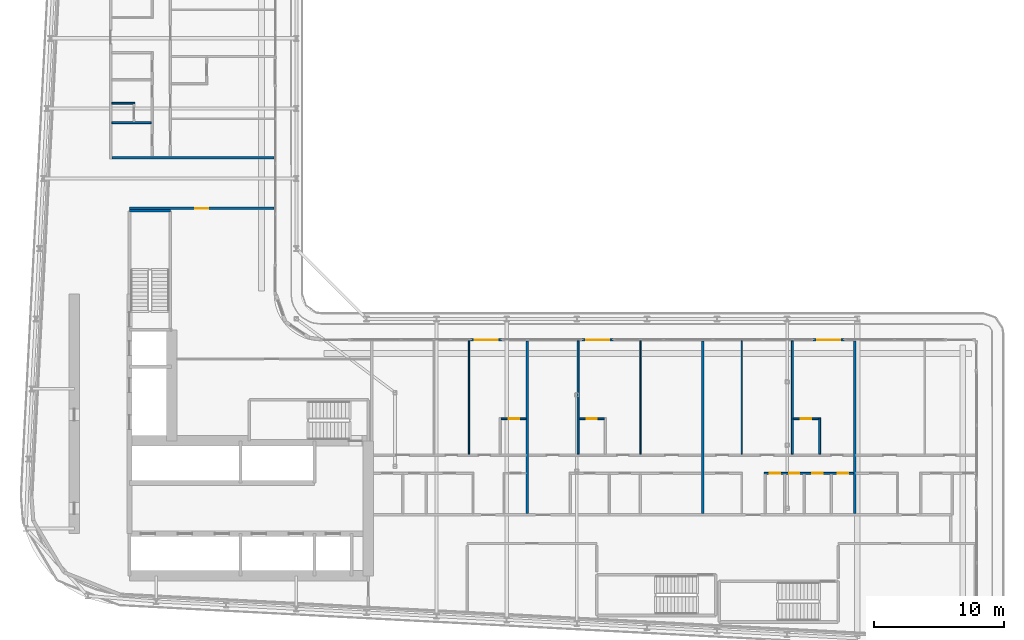
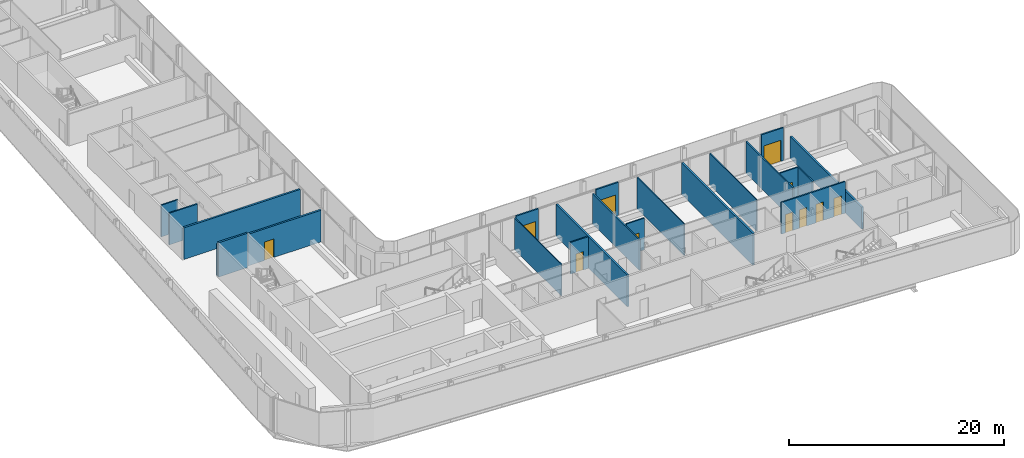
# One storey, part 17 of 28: 21 walls, 11 doors, 11 openings.
"""IFC4 building model written with IfcOpenShell, lengths in metres."""

import ifcopenshell
import ifcopenshell.guid

model = None  # the IFC model being written
_history = None  # IfcOwnerHistory: only IFC2X3 demands one
_inside = {}  # id of a spatial element -> (the spatial element, [elements in it])
_under = {}  # id of a project, library or spatial element -> (it, [spatial elements below it])
_declared = {}  # id of a project -> (the project, [libraries it declares])
_typed = {}  # id of a type object -> (the type object, [elements of that type])
_made_of = {}  # id of a material, layer set ... -> (it, [elements and type objects made of it])


def new_model(schema):
    """Start an empty IFC model of exactly this schema.

    Asked for "IFC4X3", IfcOpenShell would pick the latest addendum, in which some entities
    have other attributes; the version numbers below select the first issue.
    IFC2X3 requires an IfcOwnerHistory on every rooted entity: one is made here for all.
    """
    global model, _history
    if schema == "IFC4X3":
        model = ifcopenshell.file(schema_version=(4, 3, 0, 0))
    else:
        model = ifcopenshell.file(schema=schema)
    _inside.clear()
    _under.clear()
    _declared.clear()
    _typed.clear()
    _made_of.clear()
    _history = None
    if model.schema == "IFC2X3":
        org = make("IfcOrganization", Name="unknown")
        user = make(
            "IfcPersonAndOrganization",
            ThePerson=make("IfcPerson", FamilyName="unknown"),
            TheOrganization=org,
        )
        app = make(
            "IfcApplication",
            ApplicationDeveloper=org,
            Version="unknown",
            ApplicationFullName="unknown",
            ApplicationIdentifier="unknown",
        )
        _history = make(
            "IfcOwnerHistory",
            OwningUser=user,
            OwningApplication=app,
            ChangeAction="ADDED",
            CreationDate=0,
        )
    return model


def make(cls, **values):
    """One entity of the class cls with the attributes given. An attribute that is None is left unset."""
    return model.create_entity(
        cls, **{name: value for name, value in values.items() if value is not None}
    )


def rooted(cls, **values):
    """An entity with a GlobalId (a new one), such as an element, a storey or a relation."""
    return make(cls, GlobalId=ifcopenshell.guid.new(), OwnerHistory=_history, **values)


def si_unit(unit_type, name, prefix=None):
    """IfcSIUnit, for example si_unit("LENGTHUNIT", "METRE", prefix="MILLI")."""
    return make("IfcSIUnit", UnitType=unit_type, Prefix=prefix, Name=name)


def assignment(units):
    """IfcUnitAssignment: the units of a project."""
    return None if units is None else make("IfcUnitAssignment", Units=units)


def point(xyz):
    """IfcCartesianPoint."""
    return None if xyz is None else make("IfcCartesianPoint", Coordinates=xyz)


def direction(xyz):
    """IfcDirection."""
    return None if xyz is None else make("IfcDirection", DirectionRatios=xyz)


def frame(location, z_axis=None, x_axis=None):
    """IfcAxis2Placement3D, a coordinate frame: its origin and axes. An axis left out is left unset."""
    return make(
        "IfcAxis2Placement3D",
        Location=point(location),
        Axis=direction(z_axis),
        RefDirection=direction(x_axis),
    )


def frame_2d(location, x_axis=None):
    """IfcAxis2Placement2D, a coordinate frame in the plane: its origin and x axis."""
    return make(
        "IfcAxis2Placement2D", Location=point(location), RefDirection=direction(x_axis)
    )


def origin():
    """The frame at (0, 0, 0) with its axes left unset."""
    return frame((0.0, 0.0, 0.0))


def place(relative_to, where):
    """IfcLocalPlacement: puts the frame where relative to a parent placement (None: the world)."""
    return make(
        "IfcLocalPlacement", PlacementRelTo=relative_to, RelativePlacement=where
    )


def context(
    kind, dimensions, precision=None, world=None, true_north=None, identifier=None
):
    """IfcGeometricRepresentationContext, for example the 3D "Model" context."""
    return make(
        "IfcGeometricRepresentationContext",
        ContextIdentifier=identifier,
        ContextType=kind,
        CoordinateSpaceDimension=dimensions,
        Precision=precision,
        WorldCoordinateSystem=world,
        TrueNorth=true_north,
    )


def subcontext(parent, identifier, kind, view, scale=None):
    """IfcGeometricRepresentationSubContext, for example "Body" below "Model"."""
    return make(
        "IfcGeometricRepresentationSubContext",
        ContextIdentifier=identifier,
        ContextType=kind,
        ParentContext=parent,
        TargetScale=scale,
        TargetView=view,
    )


def project(units=None, contexts=None):
    """IfcProject with its units and contexts."""
    return rooted(
        "IfcProject",
        Name="project",
        RepresentationContexts=contexts,
        UnitsInContext=assignment(units),
    )


def spatial(cls, under=None, at=None, **own):
    """A site, building, storey or space (cls), placed at a placement, below another one or the project."""
    s = rooted(cls, ObjectPlacement=at, **own)
    if under is not None:
        _under.setdefault(under.id(), (under, []))[1].append(s)
    return s


def profile(cls, at=None, kind="AREA", **sizes):
    """A parametric profile (cls). Its sizes go by their IFC names, for example OverallWidth=200.0."""
    return make(cls, ProfileType=kind, Position=at, **sizes)


def rectangle(**sizes):
    """IfcRectangleProfileDef."""
    return profile("IfcRectangleProfileDef", **sizes)


def extrude(swept, where, along, depth):
    """IfcExtrudedAreaSolid: the profile swept, set in the frame where, extruded along a direction by depth."""
    return make(
        "IfcExtrudedAreaSolid",
        SweptArea=swept,
        Position=where,
        ExtrudedDirection=direction(along),
        Depth=depth,
    )


def shape(context_of_items, identifier, shape_type, items):
    """IfcShapeRepresentation: the items that make up one representation, for example the "Body"."""
    return make(
        "IfcShapeRepresentation",
        ContextOfItems=context_of_items,
        RepresentationIdentifier=identifier,
        RepresentationType=shape_type,
        Items=items,
    )


def source(mapping_origin, context_of_items, identifier, shape_type, items):
    """IfcRepresentationMap: a shape defined once, which mapped items show again and again."""
    return make(
        "IfcRepresentationMap",
        MappingOrigin=mapping_origin,
        MappedRepresentation=shape(context_of_items, identifier, shape_type, items),
    )


def transform(
    local_origin,
    x_axis=None,
    y_axis=None,
    z_axis=None,
    scale=None,
    scale2=None,
    scale3=None,
    uniform=True,
):
    """IfcCartesianTransformationOperator3D, or its non-uniform kind. x_axis, y_axis, z_axis: its Axis1, 2, 3."""
    if uniform:
        return make(
            "IfcCartesianTransformationOperator3D",
            Axis1=direction(x_axis),
            Axis2=direction(y_axis),
            LocalOrigin=point(local_origin),
            Scale=scale,
            Axis3=direction(z_axis),
        )
    return make(
        "IfcCartesianTransformationOperator3DnonUniform",
        Axis1=direction(x_axis),
        Axis2=direction(y_axis),
        LocalOrigin=point(local_origin),
        Scale=scale,
        Axis3=direction(z_axis),
        Scale2=scale2,
        Scale3=scale3,
    )


def mapped(mapping_source, mapping_target):
    """IfcMappedItem: shows the shape of a source again, moved by a transform."""
    return make(
        "IfcMappedItem", MappingSource=mapping_source, MappingTarget=mapping_target
    )


def material(Name=None, Category=None):
    """IfcMaterial."""
    return make("IfcMaterial", Name=Name, Category=Category)


def layer(
    of_material, thickness, ventilated=None, Name=None, Category=None, Priority=None
):
    """IfcMaterialLayer: one layer of a wall or slab, of a material (None: an air gap)."""
    return make(
        "IfcMaterialLayer",
        Material=of_material,
        LayerThickness=thickness,
        IsVentilated=ventilated,
        Name=Name,
        Category=Category,
        Priority=Priority,
    )


def layer_set(layers, Name=None):
    """IfcMaterialLayerSet."""
    return make("IfcMaterialLayerSet", MaterialLayers=layers, LayerSetName=Name)


def made_of(thing, what):
    """Note that an element or type object is made of a material, layer set ...; save() writes the relation."""
    if what is not None:
        _made_of.setdefault(what.id(), (what, []))[1].append(thing)
    return thing


def type_object(cls, material=None, **own):
    """A type object (cls), such as IfcWallType, which elements share."""
    return made_of(rooted(cls, **own), material)


def element(
    cls,
    number,
    at=None,
    inside=None,
    cuts=None,
    type_object=None,
    material=None,
    context=None,
    identifier="Body",
    shape_type=None,
    held_by="IfcProductDefinitionShape",
    body=None,
    shapes=None,
    **own,
):
    """One element of the class cls, such as IfcWall. Its Tag is "e" and its number.

    at: its placement. inside: the storey or other place that contains it. cuts: it is an
    opening in that element (IfcRelVoidsElement). A single representation is given by context,
    identifier, shape_type and body (its items); several are given by shapes. held_by: the class
    of the entity that holds the representations. save() writes the other relations.
    """
    e = rooted(cls, Tag="e%d" % number, ObjectPlacement=at, **own)
    if body is not None:
        shapes = [shape(context, identifier, shape_type, body)]
    if shapes is not None:
        e.Representation = make(held_by, Representations=shapes)
    if inside is not None:
        _inside.setdefault(inside.id(), (inside, []))[1].append(e)
    if cuts is not None:
        rooted(
            "IfcRelVoidsElement", RelatingBuildingElement=cuts, RelatedOpeningElement=e
        )
    if type_object is not None:
        _typed.setdefault(type_object.id(), (type_object, []))[1].append(e)
    return made_of(e, material)


def fill(opening, filler):
    """IfcRelFillsElement: the door or window that sits in an opening."""
    return rooted(
        "IfcRelFillsElement",
        RelatingOpeningElement=opening,
        RelatedBuildingElement=filler,
    )


def aggregate(whole, parts):
    """IfcRelAggregates: a whole, such as a stair, and the parts it consists of."""
    return rooted("IfcRelAggregates", RelatingObject=whole, RelatedObjects=parts)


def save(model, path):
    """Write the relations noted so far, then the file.

    IfcRelAggregates (storeys below a building ...), IfcRelContainedInSpatialStructure (elements
    in a storey), IfcRelDefinesByType, IfcRelAssociatesMaterial and IfcRelDeclares: one each for
    every whole, place, type object, material and project.
    """
    for whole, parts in _under.values():
        aggregate(whole, parts)
    for where, things in _inside.values():
        rooted(
            "IfcRelContainedInSpatialStructure",
            RelatedElements=things,
            RelatingStructure=where,
        )
    for kind, things in _typed.values():
        rooted("IfcRelDefinesByType", RelatedObjects=things, RelatingType=kind)
    for what, things in _made_of.values():
        rooted("IfcRelAssociatesMaterial", RelatedObjects=things, RelatingMaterial=what)
    for by, libraries in _declared.values():
        rooted("IfcRelDeclares", RelatingContext=by, RelatedDefinitions=libraries)
    model.write(path)


model = new_model("IFC4")

# Units and contexts
model_context = context("Model", 3, precision=1e-05, world=origin(), true_north=direction((0.0, 1.0)))
body_context = subcontext(model_context, "Body", "Model", "MODEL_VIEW")
ifc_project = project(units=[si_unit("LENGTHUNIT", "METRE"), si_unit("AREAUNIT", "SQUARE_METRE"), si_unit("VOLUMEUNIT", "CUBIC_METRE"), si_unit("PLANEANGLEUNIT", "RADIAN"), si_unit("MASSUNIT", "GRAM", prefix="KILO")], contexts=[model_context])

# Site, building, storey
site_placement = place(None, origin())
site = spatial("IfcSite", under=ifc_project, at=site_placement, CompositionType="ELEMENT")
building_placement = place(site_placement, origin())
building = spatial("IfcBuilding", under=site, at=building_placement, Name="Kheshtan School and Residences Tower", CompositionType="ELEMENT")
storey_placement = place(building_placement, frame((0.0, 0.0, 187.699951171875)))
storey = spatial("IfcBuildingStorey", under=building, at=storey_placement, Name="L44", CompositionType="ELEMENT", Elevation=187.699951171875)

# Wall
ifc_material_1 = material(Name="Gypsum board on steel studs with fire boards", Category="steel")
ifc_layer_1 = layer(ifc_material_1, 0.199951171875)
ifc_layer_set_1 = layer_set([ifc_layer_1], Name="Corridor wall 200")
wall_type_1 = type_object("IfcWallType", Name="Corridor wall 200", PredefinedType="PARTITIONING", material=ifc_layer_set_1)
wall_1_placement = place(storey_placement, frame((33.39990234375, 58.0, 0.0), z_axis=(0.0, 0.0, 1.0), x_axis=(1.0, 0.0, 0.0)))
element("IfcWall", 1, at=wall_1_placement, inside=storey, type_object=wall_type_1, Name="Partition L44-006", PredefinedType="PARTITIONING", context=body_context, shape_type="SweptSolid", body=[
    extrude(rectangle(XDim=12.5, YDim=0.199951171875, at=frame_2d((6.25, 0.0))), origin(), (0.0, 0.0, 1.0), 3.60009765625),
])

# Wall, opening, door
wall_2_placement = place(storey_placement, frame((34.75, 54.10009765625, 0.0), z_axis=(0.0, 0.0, 1.0), x_axis=(1.0, 0.0, 0.0)))
wall_2 = element("IfcWall", 2, at=wall_2_placement, inside=storey, type_object=wall_type_1, Name="Partition L44-016", PredefinedType="PARTITIONING", context=body_context, shape_type="SweptSolid", body=[
    extrude(rectangle(XDim=11.14990234375, YDim=0.199951171875, at=frame_2d((5.574951171875, 0.0))), origin(), (0.0, 0.0, 1.0), 3.60009765625),
])
opening_1_placement = place(wall_2_placement, frame((5.074951171875, 0.0, 0.0)))
opening_1 = element("IfcOpeningElement", 3, at=opening_1_placement, cuts=wall_2, Name="Opening D43-055", PredefinedType="OPENING", context=body_context, shape_type="SweptSolid", body=[
    extrude(rectangle(XDim=1.0, YDim=2.10009765625, at=frame_2d((0.5, 1.050048828125))), frame((0.0, 0.10986328125, 0.0), z_axis=(0.0, -1.0, 0.0), x_axis=(1.0, 0.0, 0.0)), (0.0, 0.0, 1.0), 0.219970703125),
])
ifc_material_2 = material(Name="Steel-framed fire-resisting door leaf", Category="steel")
door_type_1 = type_object("IfcDoorType", Name="Fire door FD60 1000 x 2100", OperationType="SINGLE_SWING_LEFT", PredefinedType="DOOR", material=ifc_material_2)
shared_shape_1 = source(origin(), body_context, "Body", "SweptSolid", [
    extrude(rectangle(XDim=1.0, YDim=2.10009765625, at=frame_2d((0.5, 1.050048828125))), frame((0.0, 0.02490234375, 0.0), z_axis=(0.0, -1.0, 0.0), x_axis=(1.0, 0.0, 0.0)), (0.0, 0.0, 1.0), 0.050048828125),
])
door_1_placement = place(opening_1_placement, origin())
door_1 = element("IfcDoor", 4, at=door_1_placement, inside=storey, type_object=door_type_1, Name="Door D43-055", OperationType="SINGLE_SWING_RIGHT", OverallHeight=2.10009765625, OverallWidth=1.0, PredefinedType="DOOR", context=body_context, shape_type="MappedRepresentation", body=[
    mapped(shared_shape_1, transform((0.0, 0.0, 0.0), x_axis=(1.0, 0.0, 0.0), y_axis=(0.0, 1.0, 0.0), z_axis=(0.0, 0.0, 1.0), scale=1.0)),
])
fill(opening_1, door_1)

ifc_material_3 = material(Name="Aluminium frame wall with insulated infill", Category="aluminium")
ifc_layer_2 = layer(ifc_material_3, 0.14990234375)
ifc_layer_set_2 = layer_set([ifc_layer_2], Name="Glazing frame wall 150")
wall_type_2 = type_object("IfcWallType", Name="Glazing frame wall 150", PredefinedType="SOLIDWALL", material=ifc_layer_set_2)
wall_3_placement = place(storey_placement, frame((61.02392578125, 43.97509765625, 0.0), z_axis=(0.0, 0.0, 1.0), x_axis=(1.0, 0.0, 0.0)))
wall_3 = element("IfcWall", 5, at=wall_3_placement, inside=storey, type_object=wall_type_2, Name="Balcony door wall L44 12.2", PredefinedType="SOLIDWALL", context=body_context, shape_type="SweptSolid", body=[
    extrude(rectangle(XDim=2.400146484375, YDim=0.14990234375, at=frame_2d((1.2001953125, 0.0))), origin(), (0.0, 0.0, 1.0), 3.75),
])
opening_2_placement = place(wall_3_placement, frame((0.300048828125, 0.0, 0.0)))
opening_2 = element("IfcOpeningElement", 6, at=opening_2_placement, cuts=wall_3, Name="Opening BD", PredefinedType="OPENING", context=body_context, shape_type="SweptSolid", body=[
    extrude(rectangle(XDim=1.800048828125, YDim=2.39990234375, at=frame_2d((0.89990234375, 1.199951171875))), frame((0.0, 0.0849609375, 0.0), z_axis=(0.0, -1.0, 0.0), x_axis=(1.0, 0.0, 0.0)), (0.0, 0.0, 1.0), 0.169921875),
])
ifc_material_4 = material(Name="Clear low-e glass in thermally broken aluminium frame", Category="aluminium")
door_type_2 = type_object("IfcDoorType", Name="Balcony sliding door", OperationType="SLIDING_TO_LEFT", PredefinedType="DOOR", material=ifc_material_4)
shared_shape_2 = source(origin(), body_context, "Body", "SweptSolid", [
    extrude(rectangle(XDim=1.800048828125, YDim=2.39990234375, at=frame_2d((0.89990234375, 1.199951171875))), frame((0.0, 0.02490234375, 0.0), z_axis=(0.0, -1.0, 0.0), x_axis=(1.0, 0.0, 0.0)), (0.0, 0.0, 1.0), 0.050048828125),
])
door_2_placement = place(opening_2_placement, origin())
door_2 = element("IfcDoor", 7, at=door_2_placement, inside=storey, type_object=door_type_2, Name="Balcony door L44 12.2", OperationType="SLIDING_TO_LEFT", OverallHeight=2.39990234375, OverallWidth=1.800048828125, PredefinedType="DOOR", context=body_context, shape_type="MappedRepresentation", body=[
    mapped(shared_shape_2, transform((0.0, 0.0, 0.0), x_axis=(1.0, 0.0, 0.0), y_axis=(0.0, 1.0, 0.0), z_axis=(0.0, 0.0, 1.0), scale=1.0)),
])
fill(opening_2, door_2)

wall_4_placement = place(storey_placement, frame((69.617919921875, 43.97509765625, 0.0), z_axis=(0.0, 0.0, 1.0), x_axis=(1.0, 0.0, 0.0)))
wall_4 = element("IfcWall", 8, at=wall_4_placement, inside=storey, type_object=wall_type_2, Name="Balcony door wall L44 12.3", PredefinedType="SOLIDWALL", context=body_context, shape_type="SweptSolid", body=[
    extrude(rectangle(XDim=2.400146484375, YDim=0.14990234375, at=frame_2d((1.2001953125, 0.0))), origin(), (0.0, 0.0, 1.0), 3.75),
])
opening_3_placement = place(wall_4_placement, frame((0.300048828125, 0.0, 0.0)))
opening_3 = element("IfcOpeningElement", 9, at=opening_3_placement, cuts=wall_4, Name="Opening BD", PredefinedType="OPENING", context=body_context, shape_type="SweptSolid", body=[
    extrude(rectangle(XDim=1.800048828125, YDim=2.39990234375, at=frame_2d((0.89990234375, 1.199951171875))), frame((0.0, 0.0849609375, 0.0), z_axis=(0.0, -1.0, 0.0), x_axis=(1.0, 0.0, 0.0)), (0.0, 0.0, 1.0), 0.169921875),
])
door_3_placement = place(opening_3_placement, origin())
door_3 = element("IfcDoor", 10, at=door_3_placement, inside=storey, type_object=door_type_2, Name="Balcony door L44 12.3", OperationType="SLIDING_TO_LEFT", OverallHeight=2.39990234375, OverallWidth=1.800048828125, PredefinedType="DOOR", context=body_context, shape_type="MappedRepresentation", body=[
    mapped(shared_shape_2, transform((0.0, 0.0, 0.0), x_axis=(1.0, 0.0, 0.0), y_axis=(0.0, 1.0, 0.0), z_axis=(0.0, 0.0, 1.0), scale=1.0)),
])
fill(opening_3, door_3)

wall_5_placement = place(storey_placement, frame((87.406005859375, 43.97509765625, 0.0), z_axis=(0.0, 0.0, 1.0), x_axis=(1.0, 0.0, 0.0)))
wall_5 = element("IfcWall", 11, at=wall_5_placement, inside=storey, type_object=wall_type_2, Name="Balcony door wall L44 12.4", PredefinedType="SOLIDWALL", context=body_context, shape_type="SweptSolid", body=[
    extrude(rectangle(XDim=2.39990234375, YDim=0.14990234375, at=frame_2d((1.199951171875, 0.0))), origin(), (0.0, 0.0, 1.0), 3.75),
])
opening_4_placement = place(wall_5_placement, frame((0.300048828125, 0.0, 0.0)))
opening_4 = element("IfcOpeningElement", 12, at=opening_4_placement, cuts=wall_5, Name="Opening BD", PredefinedType="OPENING", context=body_context, shape_type="SweptSolid", body=[
    extrude(rectangle(XDim=1.800048828125, YDim=2.39990234375, at=frame_2d((0.89990234375, 1.199951171875))), frame((0.0, 0.0849609375, 0.0), z_axis=(0.0, -1.0, 0.0), x_axis=(1.0, 0.0, 0.0)), (0.0, 0.0, 1.0), 0.169921875),
])
door_4_placement = place(opening_4_placement, origin())
door_4 = element("IfcDoor", 13, at=door_4_placement, inside=storey, type_object=door_type_2, Name="Balcony door L44 12.4", OperationType="SLIDING_TO_LEFT", OverallHeight=2.39990234375, OverallWidth=1.800048828125, PredefinedType="DOOR", context=body_context, shape_type="MappedRepresentation", body=[
    mapped(shared_shape_2, transform((0.0, 0.0, 0.0), x_axis=(1.0, 0.0, 0.0), y_axis=(0.0, 1.0, 0.0), z_axis=(0.0, 0.0, 1.0), scale=1.0)),
])
fill(opening_4, door_4)

# Walls
ifc_material_5 = material(Name="Gypsum board on steel studs", Category="steel")
ifc_layer_3 = layer(ifc_material_5, 0.10009765625)
ifc_layer_set_3 = layer_set([ifc_layer_3], Name="Gypsum partition 100")
wall_type_3 = type_object("IfcWallType", Name="Gypsum partition 100", PredefinedType="PARTITIONING", material=ifc_layer_set_3)
for number, where, z_axis, x_axis, name in (
    (14, (60.89990234375, 35.175048828125, 0.0), (0.0, 0.0, 1.0), (0.0, 1.0, 0.0), "Partition L44-041"),
    (15, (74.10009765625, 35.175048828125, 0.0), (0.0, 0.0, 1.0), (0.0, 1.0, 0.0), "Partition L44-056"),
    (16, (81.89990234375, 35.175048828125, 0.0), (0.0, 0.0, 1.0), (0.0, 1.0, 0.0), "Partition L44-061"),
):
    element("IfcWall", number, at=place(storey_placement, frame(where, z_axis=z_axis, x_axis=x_axis)), inside=storey, type_object=wall_type_3, Name=name, PredefinedType="PARTITIONING", context=body_context, shape_type="SweptSolid", body=[
        extrude(rectangle(XDim=8.724853515625, YDim=0.10009765625, at=frame_2d((4.3623046875, 0.0))), origin(), (0.0, 0.0, 1.0), 3.60009765625),
    ])
ifc_material_6 = material(Name="Concrete C40/50", Category="concrete")
ifc_layer_4 = layer(ifc_material_6, 0.199951171875)
ifc_layer_set_4 = layer_set([ifc_layer_4], Name="Stair enclosure wall 200 Concrete C40/50")
wall_type_4 = type_object("IfcWallType", Name="Stair enclosure wall 200 Concrete C40/50", PredefinedType="SHEAR", material=ifc_layer_set_4)
wall_6_placement = place(storey_placement, frame((34.75, 53.909912109375, 0.0), z_axis=(0.0, 0.0, 1.0), x_axis=(1.0, 0.0, 0.0)))
element("IfcWall", 17, at=wall_6_placement, inside=storey, type_object=wall_type_4, Name="Stair enclosure wall ST2", PredefinedType="SHEAR", context=body_context, shape_type="SweptSolid", body=[
    extrude(rectangle(XDim=3.14990234375, YDim=0.199951171875, at=frame_2d((1.574951171875, 0.0))), origin(), (0.0, 0.0, 1.0), 3.900146484375),
])
ifc_material_7 = material(Name="Twin gypsum board on steel studs with mineral wool", Category="steel")
ifc_layer_5 = layer(ifc_material_7, 0.199951171875)
ifc_layer_set_5 = layer_set([ifc_layer_5], Name="Unit demising wall 200")
wall_type_5 = type_object("IfcWallType", Name="Unit demising wall 200", PredefinedType="PARTITIONING", material=ifc_layer_set_5)
for number, where, z_axis, x_axis, name in (
    (18, (65.39990234375, 30.60009765625, 0.0), (0.0, 0.0, 1.0), (0.0, 1.0, 0.0), "Partition L44-047"),
    (19, (78.89990234375, 30.60009765625, 0.0), (0.0, 0.0, 1.0), (0.0, 1.0, 0.0), "Partition L44-057"),
):
    element("IfcWall", number, at=place(storey_placement, frame(where, z_axis=z_axis, x_axis=x_axis)), inside=storey, type_object=wall_type_5, Name=name, PredefinedType="PARTITIONING", context=body_context, shape_type="SweptSolid", body=[
        extrude(rectangle(XDim=13.2998046875, YDim=0.199951171875, at=frame_2d((6.64990234375, 0.0))), origin(), (0.0, 0.0, 1.0), 3.60009765625),
    ])
wall_7_placement = place(storey_placement, frame((90.60009765625, 30.60009765625, 0.0), z_axis=(0.0, 0.0, 1.0), x_axis=(0.0, 1.0, 0.0)))
element("IfcWall", 20, at=wall_7_placement, inside=storey, type_object=wall_type_5, Name="Partition L44-070", PredefinedType="PARTITIONING", context=body_context, shape_type="SweptSolid", body=[
    extrude(rectangle(XDim=13.2998046875, YDim=0.199951171875, at=frame_2d((6.64990234375, 0.0))), origin(), (0.0, 0.0, 1.0), 2.5),
])
ifc_material_8 = material(Name="Moisture-resistant gypsum board on steel studs", Category="steel")
ifc_layer_6 = layer(ifc_material_8, 0.14990234375)
ifc_layer_set_6 = layer_set([ifc_layer_6], Name="Wet-room partition 150")
wall_type_6 = type_object("IfcWallType", Name="Wet-room partition 150", PredefinedType="PARTITIONING", material=ifc_layer_set_6)
wall_8_placement = place(storey_placement, frame((33.39990234375, 60.699951171875, 0.0), z_axis=(0.0, 0.0, 1.0), x_axis=(1.0, 0.0, 0.0)))
element("IfcWall", 21, at=wall_8_placement, inside=storey, type_object=wall_type_6, Name="Partition L44-007", PredefinedType="PARTITIONING", context=body_context, shape_type="SweptSolid", body=[
    extrude(rectangle(XDim=3.025146484375, YDim=0.14990234375, at=frame_2d((1.5126953125, 0.0))), origin(), (0.0, 0.0, 1.0), 3.60009765625),
])
wall_9_placement = place(storey_placement, frame((33.39990234375, 62.199951171875, 0.0), z_axis=(0.0, 0.0, 1.0), x_axis=(1.0, 0.0, 0.0)))
element("IfcWall", 22, at=wall_9_placement, inside=storey, type_object=wall_type_6, Name="Partition L44-008", PredefinedType="PARTITIONING", context=body_context, shape_type="SweptSolid", body=[
    extrude(rectangle(XDim=1.775146484375, YDim=0.14990234375, at=frame_2d((0.8876953125, 0.0))), origin(), (0.0, 0.0, 1.0), 3.60009765625),
])

# Wall, opening, door
wall_10_placement = place(storey_placement, frame((63.375, 37.89990234375, 0.0), z_axis=(0.0, 0.0, 1.0), x_axis=(1.0, 0.0, 0.0)))
wall_10 = element("IfcWall", 23, at=wall_10_placement, inside=storey, type_object=wall_type_6, Name="Partition L44-044", PredefinedType="PARTITIONING", context=body_context, shape_type="SweptSolid", body=[
    extrude(rectangle(XDim=1.925048828125, YDim=0.14990234375, at=frame_2d((0.96240234375, 0.0))), origin(), (0.0, 0.0, 1.0), 3.60009765625),
])
opening_5_placement = place(wall_10_placement, frame((0.574951171875, 0.0, 0.0)))
opening_5 = element("IfcOpeningElement", 24, at=opening_5_placement, cuts=wall_10, Name="Opening D43-003", PredefinedType="OPENING", context=body_context, shape_type="SweptSolid", body=[
    extrude(rectangle(XDim=0.800048828125, YDim=2.10009765625, at=frame_2d((0.39990234375, 1.050048828125))), frame((0.0, 0.0849609375, 0.0), z_axis=(0.0, -1.0, 0.0), x_axis=(1.0, 0.0, 0.0)), (0.0, 0.0, 1.0), 0.169921875),
])
ifc_material_9 = material(Name="Veneered timber door leaf", Category="wood")
door_type_3 = type_object("IfcDoorType", Name="Door 800 x 2100", OperationType="SINGLE_SWING_LEFT", PredefinedType="DOOR", material=ifc_material_9)
shared_shape_3 = source(origin(), body_context, "Body", "SweptSolid", [
    extrude(rectangle(XDim=0.800048828125, YDim=2.10009765625, at=frame_2d((0.39990234375, 1.050048828125))), frame((0.0, 0.02490234375, 0.0), z_axis=(0.0, -1.0, 0.0), x_axis=(1.0, 0.0, 0.0)), (0.0, 0.0, 1.0), 0.050048828125),
])
door_5_placement = place(opening_5_placement, origin())
door_5 = element("IfcDoor", 25, at=door_5_placement, inside=storey, type_object=door_type_3, Name="Door D43-003", OperationType="SINGLE_SWING_LEFT", OverallHeight=2.10009765625, OverallWidth=0.800048828125, PredefinedType="DOOR", context=body_context, shape_type="MappedRepresentation", body=[
    mapped(shared_shape_3, transform((0.0, 0.0, 0.0), x_axis=(1.0, 0.0, 0.0), y_axis=(0.0, 1.0, 0.0), z_axis=(0.0, 0.0, 1.0), scale=1.0)),
])
fill(opening_5, door_5)

# Wall
wall_11_placement = place(storey_placement, frame((69.300048828125, 35.175048828125, 0.0), z_axis=(0.0, 0.0, 1.0), x_axis=(0.0, 1.0, 0.0)))
element("IfcWall", 26, at=wall_11_placement, inside=storey, type_object=wall_type_6, Name="Partition L44-051", PredefinedType="PARTITIONING", context=body_context, shape_type="SweptSolid", body=[
    extrude(rectangle(XDim=8.724853515625, YDim=0.14990234375, at=frame_2d((4.3623046875, 0.0))), origin(), (0.0, 0.0, 1.0), 3.447021484375),
])

# Wall, opening, door
wall_12_placement = place(storey_placement, frame((69.375, 37.89990234375, 0.0), z_axis=(0.0, 0.0, 1.0), x_axis=(1.0, 0.0, 0.0)))
wall_12 = element("IfcWall", 27, at=wall_12_placement, inside=storey, type_object=wall_type_6, Name="Partition L44-052", PredefinedType="PARTITIONING", context=body_context, shape_type="SweptSolid", body=[
    extrude(rectangle(XDim=1.949951171875, YDim=0.14990234375, at=frame_2d((0.97509765625, 0.0))), origin(), (0.0, 0.0, 1.0), 3.60009765625),
])
opening_6_placement = place(wall_12_placement, frame((0.574951171875, 0.0, 0.0)))
opening_6 = element("IfcOpeningElement", 28, at=opening_6_placement, cuts=wall_12, Name="Opening D43-012", PredefinedType="OPENING", context=body_context, shape_type="SweptSolid", body=[
    extrude(rectangle(XDim=0.800048828125, YDim=2.10009765625, at=frame_2d((0.39990234375, 1.050048828125))), frame((0.0, 0.0849609375, 0.0), z_axis=(0.0, -1.0, 0.0), x_axis=(1.0, 0.0, 0.0)), (0.0, 0.0, 1.0), 0.169921875),
])
door_6_placement = place(opening_6_placement, origin())
door_6 = element("IfcDoor", 29, at=door_6_placement, inside=storey, type_object=door_type_3, Name="Door D43-012", OperationType="SINGLE_SWING_LEFT", OverallHeight=2.10009765625, OverallWidth=0.800048828125, PredefinedType="DOOR", context=body_context, shape_type="MappedRepresentation", body=[
    mapped(shared_shape_3, transform((0.0, 0.0, 0.0), x_axis=(1.0, 0.0, 0.0), y_axis=(0.0, 1.0, 0.0), z_axis=(0.0, 0.0, 1.0), scale=1.0)),
])
fill(opening_6, door_6)

# Wall, openings, doors
wall_13_placement = place(storey_placement, frame((83.625, 33.699951171875, 0.0), z_axis=(0.0, 0.0, 1.0), x_axis=(1.0, 0.0, 0.0)))
wall_13 = element("IfcWall", 30, at=wall_13_placement, inside=storey, type_object=wall_type_6, Name="Partition L44-062", PredefinedType="PARTITIONING", context=body_context, shape_type="SweptSolid", body=[
    extrude(rectangle(XDim=6.875, YDim=0.14990234375, at=frame_2d((3.4375, 0.0))), origin(), (0.0, 0.0, 1.0), 3.60009765625),
])
opening_7_placement = place(wall_13_placement, frame((3.72509765625, 0.0, 0.0)))
opening_7 = element("IfcOpeningElement", 31, at=opening_7_placement, cuts=wall_13, Name="Opening D43-018", PredefinedType="OPENING", context=body_context, shape_type="SweptSolid", body=[
    extrude(rectangle(XDim=0.800048828125, YDim=2.10009765625, at=frame_2d((0.39990234375, 1.050048828125))), frame((0.0, 0.0849609375, 0.0), z_axis=(0.0, -1.0, 0.0), x_axis=(1.0, 0.0, 0.0)), (0.0, 0.0, 1.0), 0.169921875),
])
opening_8_placement = place(wall_13_placement, frame((5.675048828125, 0.0, 0.0)))
opening_8 = element("IfcOpeningElement", 32, at=opening_8_placement, cuts=wall_13, Name="Opening D43-023", PredefinedType="OPENING", context=body_context, shape_type="SweptSolid", body=[
    extrude(rectangle(XDim=0.800048828125, YDim=2.10009765625, at=frame_2d((0.39990234375, 1.050048828125))), frame((0.0, 0.0849609375, 0.0), z_axis=(0.0, -1.0, 0.0), x_axis=(1.0, 0.0, 0.0)), (0.0, 0.0, 1.0), 0.169921875),
])
opening_9_placement = place(wall_13_placement, frame((1.925048828125, 0.0, 0.0)))
opening_9 = element("IfcOpeningElement", 33, at=opening_9_placement, cuts=wall_13, Name="Opening D43-026", PredefinedType="OPENING", context=body_context, shape_type="SweptSolid", body=[
    extrude(rectangle(XDim=0.800048828125, YDim=2.10009765625, at=frame_2d((0.39990234375, 1.050048828125))), frame((0.0, 0.0849609375, 0.0), z_axis=(0.0, -1.0, 0.0), x_axis=(1.0, 0.0, 0.0)), (0.0, 0.0, 1.0), 0.169921875),
])
opening_10_placement = place(wall_13_placement, frame((0.425048828125, 0.0, 0.0)))
opening_10 = element("IfcOpeningElement", 34, at=opening_10_placement, cuts=wall_13, Name="Opening D43-027", PredefinedType="OPENING", context=body_context, shape_type="SweptSolid", body=[
    extrude(rectangle(XDim=0.800048828125, YDim=2.10009765625, at=frame_2d((0.39990234375, 1.050048828125))), frame((0.0, 0.0849609375, 0.0), z_axis=(0.0, -1.0, 0.0), x_axis=(1.0, 0.0, 0.0)), (0.0, 0.0, 1.0), 0.169921875),
])
door_7_placement = place(opening_7_placement, origin())
door_7 = element("IfcDoor", 35, at=door_7_placement, inside=storey, type_object=door_type_3, Name="Door D43-018", OperationType="SINGLE_SWING_RIGHT", OverallHeight=2.10009765625, OverallWidth=0.800048828125, PredefinedType="DOOR", context=body_context, shape_type="MappedRepresentation", body=[
    mapped(shared_shape_3, transform((0.0, 0.0, 0.0), x_axis=(1.0, 0.0, 0.0), y_axis=(0.0, 1.0, 0.0), z_axis=(0.0, 0.0, 1.0), scale=1.0)),
])
fill(opening_7, door_7)
door_8_placement = place(opening_8_placement, origin())
door_8 = element("IfcDoor", 36, at=door_8_placement, inside=storey, type_object=door_type_3, Name="Door D43-023", OperationType="SINGLE_SWING_RIGHT", OverallHeight=2.10009765625, OverallWidth=0.800048828125, PredefinedType="DOOR", context=body_context, shape_type="MappedRepresentation", body=[
    mapped(shared_shape_3, transform((0.0, 0.0, 0.0), x_axis=(1.0, 0.0, 0.0), y_axis=(0.0, 1.0, 0.0), z_axis=(0.0, 0.0, 1.0), scale=1.0)),
])
fill(opening_8, door_8)
door_9_placement = place(opening_9_placement, origin())
door_9 = element("IfcDoor", 37, at=door_9_placement, inside=storey, type_object=door_type_3, Name="Door D43-026", OperationType="SINGLE_SWING_RIGHT", OverallHeight=2.10009765625, OverallWidth=0.800048828125, PredefinedType="DOOR", context=body_context, shape_type="MappedRepresentation", body=[
    mapped(shared_shape_3, transform((0.0, 0.0, 0.0), x_axis=(1.0, 0.0, 0.0), y_axis=(0.0, 1.0, 0.0), z_axis=(0.0, 0.0, 1.0), scale=1.0)),
])
fill(opening_9, door_9)
door_10_placement = place(opening_10_placement, origin())
door_10 = element("IfcDoor", 38, at=door_10_placement, inside=storey, type_object=door_type_3, Name="Door D43-027", OperationType="SINGLE_SWING_LEFT", OverallHeight=2.10009765625, OverallWidth=0.800048828125, PredefinedType="DOOR", context=body_context, shape_type="MappedRepresentation", body=[
    mapped(shared_shape_3, transform((0.0, 0.0, 0.0), x_axis=(1.0, 0.0, 0.0), y_axis=(0.0, 1.0, 0.0), z_axis=(0.0, 0.0, 1.0), scale=1.0)),
])
fill(opening_10, door_10)

# Wall
wall_14_placement = place(storey_placement, frame((85.800048828125, 35.175048828125, 0.0), z_axis=(0.0, 0.0, 1.0), x_axis=(0.0, 1.0, 0.0)))
element("IfcWall", 39, at=wall_14_placement, inside=storey, type_object=wall_type_6, Name="Partition L44-065", PredefinedType="PARTITIONING", context=body_context, shape_type="SweptSolid", body=[
    extrude(rectangle(XDim=8.724853515625, YDim=0.14990234375, at=frame_2d((4.3623046875, 0.0))), origin(), (0.0, 0.0, 1.0), 3.60009765625),
])

# Wall, opening, door
wall_15_placement = place(storey_placement, frame((85.875, 37.89990234375, 0.0), z_axis=(0.0, 0.0, 1.0), x_axis=(1.0, 0.0, 0.0)))
wall_15 = element("IfcWall", 40, at=wall_15_placement, inside=storey, type_object=wall_type_6, Name="Partition L44-066", PredefinedType="PARTITIONING", context=body_context, shape_type="SweptSolid", body=[
    extrude(rectangle(XDim=1.949951171875, YDim=0.14990234375, at=frame_2d((0.97509765625, 0.0))), origin(), (0.0, 0.0, 1.0), 3.60009765625),
])
opening_11_placement = place(wall_15_placement, frame((0.574951171875, 0.0, 0.0)))
opening_11 = element("IfcOpeningElement", 41, at=opening_11_placement, cuts=wall_15, Name="Opening D43-020", PredefinedType="OPENING", context=body_context, shape_type="SweptSolid", body=[
    extrude(rectangle(XDim=0.800048828125, YDim=2.10009765625, at=frame_2d((0.39990234375, 1.050048828125))), frame((0.0, 0.0849609375, 0.0), z_axis=(0.0, -1.0, 0.0), x_axis=(1.0, 0.0, 0.0)), (0.0, 0.0, 1.0), 0.169921875),
])
door_11_placement = place(opening_11_placement, origin())
door_11 = element("IfcDoor", 42, at=door_11_placement, inside=storey, type_object=door_type_3, Name="Door D43-020", OperationType="SINGLE_SWING_LEFT", OverallHeight=2.10009765625, OverallWidth=0.800048828125, PredefinedType="DOOR", context=body_context, shape_type="MappedRepresentation", body=[
    mapped(shared_shape_3, transform((0.0, 0.0, 0.0), x_axis=(1.0, 0.0, 0.0), y_axis=(0.0, 1.0, 0.0), z_axis=(0.0, 0.0, 1.0), scale=1.0)),
])
fill(opening_11, door_11)

# Wall
wall_16_placement = place(storey_placement, frame((87.89990234375, 35.175048828125, 0.0), z_axis=(0.0, 0.0, 1.0), x_axis=(0.0, 1.0, 0.0)))
element("IfcWall", 43, at=wall_16_placement, inside=storey, type_object=wall_type_6, Name="Partition L44-068", PredefinedType="PARTITIONING", context=body_context, shape_type="SweptSolid", body=[
    extrude(rectangle(XDim=2.800048828125, YDim=0.14990234375, at=frame_2d((1.39990234375, 0.0))), origin(), (0.0, 0.0, 1.0), 3.60009765625),
])

save(model, "model.ifc")
